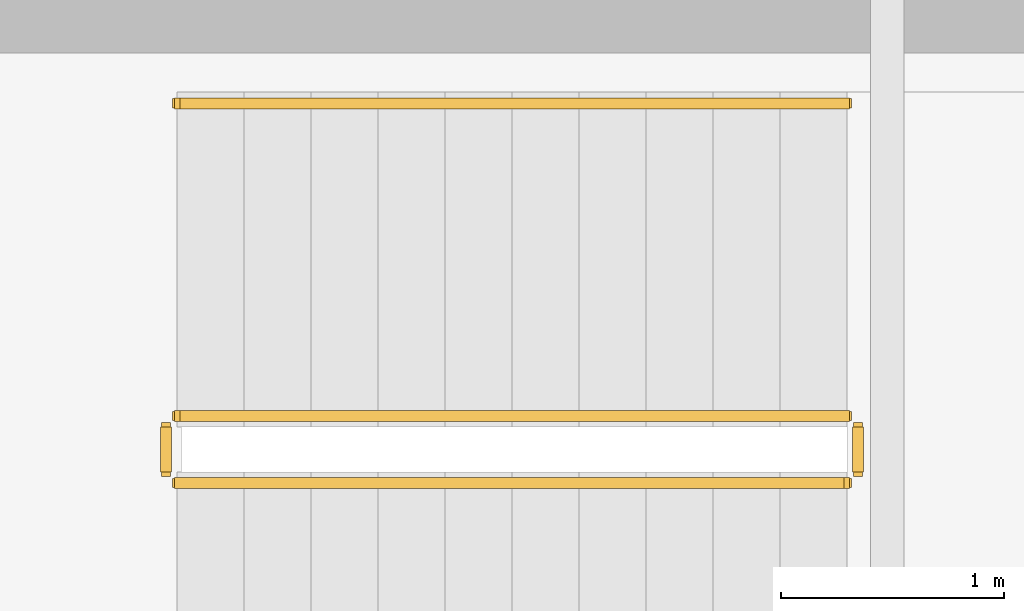
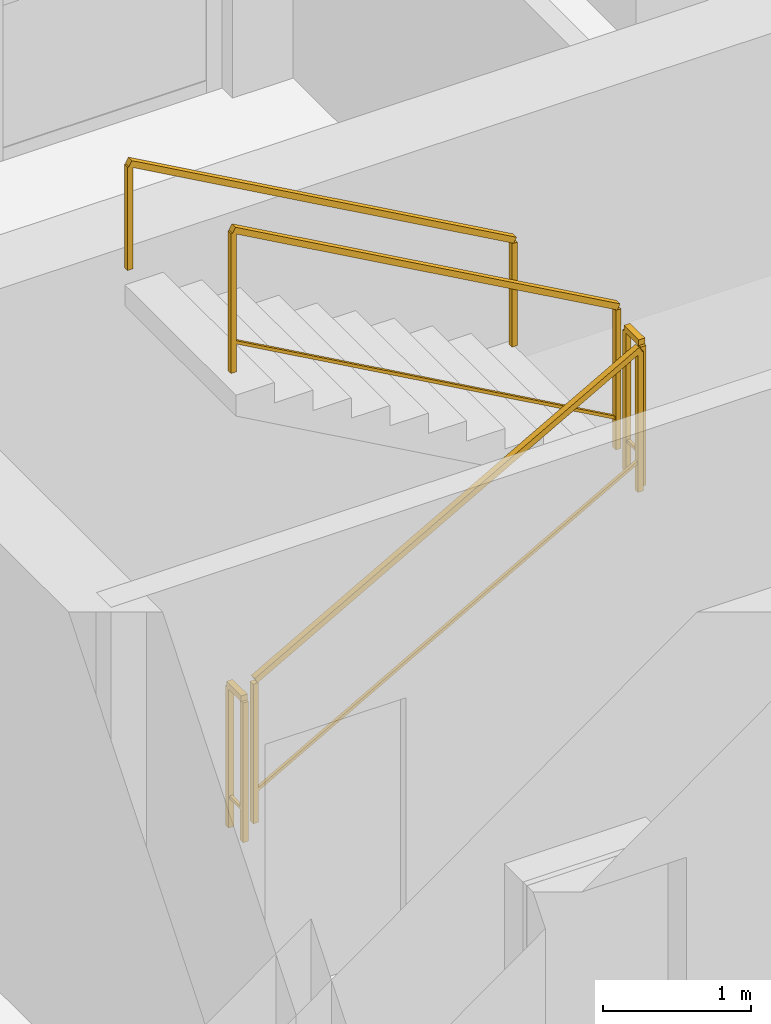
# One storey, part 15 of 15: 5 railings.
"""IFC4 building model written with IfcOpenShell, lengths in metres."""

from ifc_helpers import new_model, si_unit, direction, frame, origin, origin_2d, place, context, subcontext, project, spatial, rectangle, extrude, material, type_object, element, save


model = new_model("IFC4")

# Units and contexts
model_context = context("Model", 3, precision=1e-05, world=origin(), true_north=direction((0.0, 1.0)))
body_context = subcontext(model_context, "Body", "Model", "MODEL_VIEW")
ifc_project = project(units=[si_unit("LENGTHUNIT", "METRE"), si_unit("AREAUNIT", "SQUARE_METRE"), si_unit("VOLUMEUNIT", "CUBIC_METRE"), si_unit("PLANEANGLEUNIT", "RADIAN"), si_unit("MASSUNIT", "GRAM", prefix="KILO")], contexts=[model_context])

# Site, building, storey
site_placement = place(None, origin())
site = spatial("IfcSite", under=ifc_project, at=site_placement, CompositionType="ELEMENT")
building_placement = place(site_placement, origin())
building = spatial("IfcBuilding", under=site, at=building_placement, Name="Svetorya Sky Lyceum", CompositionType="ELEMENT")
storey_placement = place(building_placement, frame((0.0, 0.0, 117.89990234375)))
storey = spatial("IfcBuildingStorey", under=building, at=storey_placement, Name="L29", CompositionType="ELEMENT", Elevation=117.89990234375)

# Railings
ifc_material_1 = material(Name="Painted galvanized stair well guard")
railing_type_1 = type_object("IfcRailingType", Name="RL-STR-GUARD-1200", PredefinedType="GUARDRAIL", material=ifc_material_1)
railing_1_placement = place(storey_placement, frame((27.699951171875, 43.60009765625, 0.168212890625)))
element("IfcRailing", 1, at=railing_1_placement, inside=storey, type_object=railing_type_1, Name="L29 ST-N stair guard 1", PredefinedType="GUARDRAIL", context=body_context, shape_type="SweptSolid", body=[
    extrude(rectangle(XDim=0.048095703125, YDim=0.048095703125, at=origin_2d()), frame((0.0, 0.0, 1.17578125), z_axis=(0.872272294576, 0.0, 0.489020494575), x_axis=(0.0, 1.0, 0.0)), (0.0, 0.0, 1.0), 3.439208984375),
    extrude(rectangle(XDim=0.02392578125, YDim=0.02392578125, at=origin_2d()), frame((0.0, 0.0, 0.25), z_axis=(0.872272294576, 0.0, 0.489020494575), x_axis=(0.0, 1.0, 0.0)), (0.0, 0.0, 1.0), 3.439208984375),
    extrude(rectangle(XDim=0.0419921875, YDim=0.0419921875, at=origin_2d()), origin(), (0.0, 0.0, 1.0), 1.15185546875),
    extrude(rectangle(XDim=0.0419921875, YDim=0.0419921875, at=origin_2d()), frame((3.0, 0.0, 1.681884765625)), (0.0, 0.0, 1.0), 1.15185546875),
])
railing_2_placement = place(storey_placement, frame((30.75, 43.64990234375, 1.85009765625)))
element("IfcRailing", 2, at=railing_2_placement, inside=storey, type_object=railing_type_1, Name="L29 ST-N stair guard 2", PredefinedType="GUARDRAIL", context=body_context, shape_type="SweptSolid", body=[
    extrude(rectangle(XDim=0.048095703125, YDim=0.048095703125, at=origin_2d()), frame((0.0, 0.0, 1.17578125), z_axis=(0.0, 1.0, 0.0), x_axis=(-1.0, 0.0, 0.0)), (0.0, 0.0, 1.0), 0.2001953125),
    extrude(rectangle(XDim=0.02392578125, YDim=0.02392578125, at=origin_2d()), frame((0.0, 0.0, 0.25), z_axis=(0.0, 1.0, 0.0), x_axis=(-1.0, 0.0, 0.0)), (0.0, 0.0, 1.0), 0.2001953125),
    extrude(rectangle(XDim=0.0419921875, YDim=0.0419921875, at=origin_2d()), origin(), (0.0, 0.0, 1.0), 1.15185546875),
    extrude(rectangle(XDim=0.0419921875, YDim=0.0419921875, at=origin_2d()), frame((0.0, 0.2001953125, 0.0)), (0.0, 0.0, 1.0), 1.15185546875),
])
railing_3_placement = place(storey_placement, frame((30.699951171875, 43.89990234375, 2.018310546875)))
element("IfcRailing", 3, at=railing_3_placement, inside=storey, type_object=railing_type_1, Name="L29 ST-N stair guard 3", PredefinedType="GUARDRAIL", context=body_context, shape_type="SweptSolid", body=[
    extrude(rectangle(XDim=0.048095703125, YDim=0.048095703125, at=origin_2d()), frame((0.0, 0.0, 1.17578125), z_axis=(-0.872272294576, 0.0, 0.489020494575), x_axis=(0.0, -1.0, 0.0)), (0.0, 0.0, 1.0), 3.439208984375),
    extrude(rectangle(XDim=0.02392578125, YDim=0.02392578125, at=origin_2d()), frame((0.0, 0.0, 0.25), z_axis=(-0.872272294576, 0.0, 0.489020494575), x_axis=(0.0, -1.0, 0.0)), (0.0, 0.0, 1.0), 3.439208984375),
    extrude(rectangle(XDim=0.0419921875, YDim=0.0419921875, at=origin_2d()), origin(), (0.0, 0.0, 1.0), 1.15185546875),
    extrude(rectangle(XDim=0.0419921875, YDim=0.0419921875, at=origin_2d()), frame((-3.0, 0.0, 1.681884765625)), (0.0, 0.0, 1.0), 1.15185546875),
])
railing_4_placement = place(storey_placement, frame((27.64990234375, 43.64990234375, 0.0)))
element("IfcRailing", 4, at=railing_4_placement, inside=storey, type_object=railing_type_1, Name="L29 ST-N stair guard 4", PredefinedType="GUARDRAIL", context=body_context, shape_type="SweptSolid", body=[
    extrude(rectangle(XDim=0.048095703125, YDim=0.048095703125, at=origin_2d()), frame((0.0, 0.0, 1.17578125), z_axis=(0.0, 1.0, 0.0), x_axis=(-1.0, 0.0, 0.0)), (0.0, 0.0, 1.0), 0.2001953125),
    extrude(rectangle(XDim=0.02392578125, YDim=0.02392578125, at=origin_2d()), frame((0.0, 0.0, 0.25), z_axis=(0.0, 1.0, 0.0), x_axis=(-1.0, 0.0, 0.0)), (0.0, 0.0, 1.0), 0.2001953125),
    extrude(rectangle(XDim=0.0419921875, YDim=0.0419921875, at=origin_2d()), origin(), (0.0, 0.0, 1.0), 1.15185546875),
    extrude(rectangle(XDim=0.0419921875, YDim=0.0419921875, at=origin_2d()), frame((0.0, 0.2001953125, 0.0)), (0.0, 0.0, 1.0), 1.15185546875),
])
ifc_material_2 = material(Name="Brushed stainless AISI 304 stair handrail")
railing_type_2 = type_object("IfcRailingType", Name="RL-STR-HAND-920", PredefinedType="HANDRAIL", material=ifc_material_2)
railing_5_placement = place(storey_placement, frame((30.699951171875, 45.300048828125, 2.018310546875)))
element("IfcRailing", 5, at=railing_5_placement, inside=storey, type_object=railing_type_2, Name="L29 ST-N stair handrail 2", PredefinedType="HANDRAIL", context=body_context, shape_type="SweptSolid", body=[
    extrude(rectangle(XDim=0.048095703125, YDim=0.048095703125, at=origin_2d()), frame((0.0, 0.0, 0.8759765625), z_axis=(-0.872272294576, 0.0, 0.489020494575), x_axis=(0.0, -1.0, 0.0)), (0.0, 0.0, 1.0), 3.439208984375),
    extrude(rectangle(XDim=0.0419921875, YDim=0.0419921875, at=origin_2d()), origin(), (0.0, 0.0, 1.0), 0.851806640625),
    extrude(rectangle(XDim=0.0419921875, YDim=0.0419921875, at=origin_2d()), frame((-3.0, 0.0, 1.681884765625)), (0.0, 0.0, 1.0), 0.851806640625),
])

save(model, "model.ifc")
